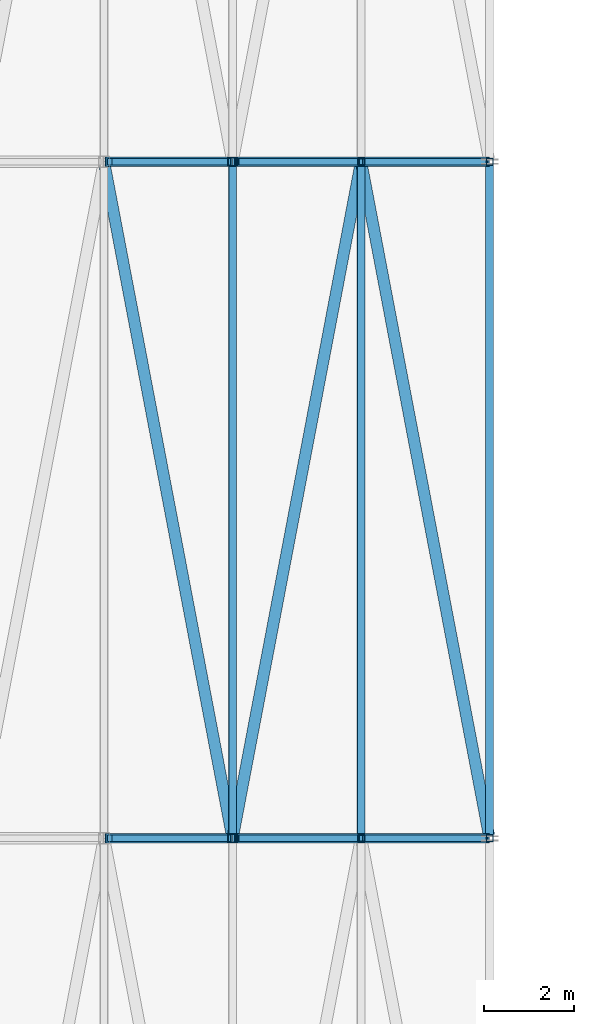
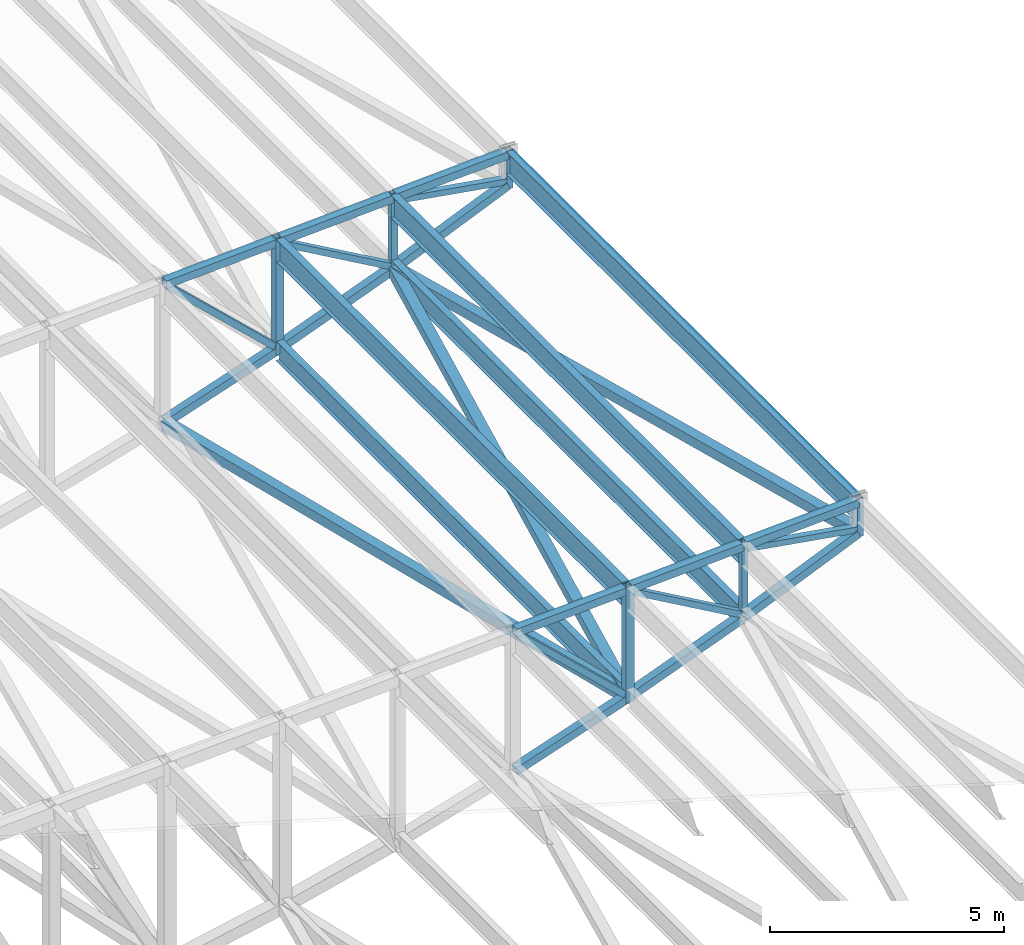
# One storey, part 34 of 278: 18 beams, 14 members.
"""IFC4 building model written with IfcOpenShell, lengths in metres."""

from ifc_helpers import new_model, si_unit, direction, frame, origin, origin_2d, place, context, subcontext, project, spatial, hollow_rectangle, i_section, extrude, material, material_profile, profile_set, type_object, element, save


model = new_model("IFC4")

# Units and contexts
model_context = context("Model", 3, precision=1e-05, world=origin(), true_north=direction((0.0, 1.0)))
body_context = subcontext(model_context, "Body", "Model", "MODEL_VIEW")
ifc_project = project(units=[si_unit("LENGTHUNIT", "METRE"), si_unit("AREAUNIT", "SQUARE_METRE"), si_unit("VOLUMEUNIT", "CUBIC_METRE"), si_unit("PLANEANGLEUNIT", "RADIAN"), si_unit("MASSUNIT", "GRAM", prefix="KILO")], contexts=[model_context])

# Site, building, storey
site_placement = place(None, origin())
site = spatial("IfcSite", under=ifc_project, at=site_placement, CompositionType="ELEMENT")
building_placement = place(site_placement, origin())
building = spatial("IfcBuilding", under=site, at=building_placement, Name="Ogive Plaza Stadium", CompositionType="ELEMENT")
storey_placement = place(building_placement, frame((0.0, 0.0, 29.0)))
storey = spatial("IfcBuildingStorey", under=building, at=storey_placement, Name="Roof", CompositionType="ELEMENT", Elevation=29.0)

# Members
ifc_material_1 = material(Name="Steel ASTM A500 Grade C", Category="steel")
ifc_material_profile_1 = material_profile(ifc_material_1, hollow_rectangle(XDim=0.25390625, YDim=0.25390625, WallThickness=0.0087890625, at=origin_2d()), Name="HSS10X10X3/8")
ifc_profile_set_1 = profile_set([ifc_material_profile_1], Name="Steel ASTM A500 Grade C")
member_type_1 = type_object("IfcMemberType", Name="Roof plan brace HSS10X10X3/8", PredefinedType="BRACE", material=ifc_profile_set_1)
member_1_placement = place(storey_placement, frame((-45.513427734375, -37.4296875, 6.520751953125), z_axis=(-0.1860644689, 0.979300227871, -0.079693645318), x_axis=(-0.982424925297, -0.186658153196, 0.0)))
element("IfcMember", 1, at=member_1_placement, inside=storey, type_object=member_type_1, Name="ROOF BRACE B22 1", PredefinedType="BRACE", context=body_context, shape_type="SweptSolid", body=[
    extrude(hollow_rectangle(XDim=0.25390625, YDim=0.25390625, WallThickness=0.0087890625, at=origin_2d()), origin(), (0.0, 0.0, 1.0), 15.173583984375),
])
member_2_placement = place(storey_placement, frame((-48.36328125, -22.5703125, 5.30078125), z_axis=(-0.18619699352, -0.979917118172, -0.071366106221), x_axis=(0.982422109195, -0.186672974385, 0.0)))
element("IfcMember", 2, at=member_2_placement, inside=storey, type_object=member_type_1, Name="ROOF BRACE B22 2", PredefinedType="BRACE", context=body_context, shape_type="SweptSolid", body=[
    extrude(hollow_rectangle(XDim=0.25390625, YDim=0.25390625, WallThickness=0.0087890625, at=origin_2d()), origin(), (0.0, 0.0, 1.0), 15.1376953125),
])
member_3_placement = place(storey_placement, frame((-51.21826171875, -37.404052734375, 4.20751953125), z_axis=(-0.186305134019, 0.980575459807, -0.061336487198), x_axis=(-0.982425223956, -0.186656581279, 0.0)))
element("IfcMember", 3, at=member_3_placement, inside=storey, type_object=member_type_1, Name="ROOF BRACE B22 3", PredefinedType="BRACE", context=body_context, shape_type="SweptSolid", body=[
    extrude(hollow_rectangle(XDim=0.25390625, YDim=0.25390625, WallThickness=0.0087890625, at=origin_2d()), origin(), (0.0, 0.0, 1.0), 15.1015625),
])
ifc_material_2 = material(Name="Steel ASTM A992 Grade 50", Category="steel")
ifc_material_profile_2 = material_profile(ifc_material_2, i_section(OverallWidth=0.1650390625, OverallDepth=0.524658203125, WebThickness=0.0087890625, FlangeThickness=0.011474609375, at=origin_2d()), Name="W21X44")
ifc_profile_set_2 = profile_set([ifc_material_profile_2], Name="Steel ASTM A992 Grade 50")
member_type_2 = type_object("IfcMemberType", Name="Roof plan strut W21X44", PredefinedType="STRUT", material=ifc_profile_set_2)
member_4_placement = place(storey_placement, frame((-48.35009765625, -37.453857421875, 5.305908203125), z_axis=(0.0, 1.0, 0.0), x_axis=(-1.0, 0.0, 0.0)))
element("IfcMember", 4, at=member_4_placement, inside=storey, type_object=member_type_2, Name="ROOF STRUT B22 1", PredefinedType="STRUT", context=body_context, shape_type="SweptSolid", body=[
    extrude(i_section(OverallWidth=0.1650390625, OverallDepth=0.524658203125, WebThickness=0.0087890625, FlangeThickness=0.011474609375, at=origin_2d()), origin(), (0.0, 0.0, 1.0), 14.90771484375),
])
member_5_placement = place(storey_placement, frame((-51.199951171875, -37.428466796875, 4.213623046875), z_axis=(0.0, 1.0, 0.0), x_axis=(-1.0, 0.0, 0.0)))
element("IfcMember", 5, at=member_5_placement, inside=storey, type_object=member_type_2, Name="ROOF STRUT B22 2", PredefinedType="STRUT", context=body_context, shape_type="SweptSolid", body=[
    extrude(i_section(OverallWidth=0.1650390625, OverallDepth=0.524658203125, WebThickness=0.0087890625, FlangeThickness=0.011474609375, at=origin_2d()), origin(), (0.0, 0.0, 1.0), 14.85693359375),
])
ifc_material_3 = material(Name="Steel ASTM A992 Grade 50", Category="steel")
ifc_material_profile_3 = material_profile(ifc_material_3, i_section(OverallWidth=0.177978515625, OverallDepth=0.5986328125, WebThickness=0.010009765625, FlangeThickness=0.012939453125, at=origin_2d()), Name="W24X55")
ifc_profile_set_3 = profile_set([ifc_material_profile_3], Name="Steel ASTM A992 Grade 50")
member_type_3 = type_object("IfcMemberType", Name="Roof purlin W24X55", PredefinedType="PURLIN", material=ifc_profile_set_3)
member_6_placement = place(storey_placement, frame((-48.35009765625, -37.453857421875, 6.983154296875), z_axis=(0.0, 1.0, 0.0), x_axis=(-1.0, 0.0, 0.0)))
element("IfcMember", 6, at=member_6_placement, inside=storey, type_object=member_type_3, Name="ROOF PURLIN B22 1", PredefinedType="PURLIN", context=body_context, shape_type="SweptSolid", body=[
    extrude(i_section(OverallWidth=0.177978515625, OverallDepth=0.5986328125, WebThickness=0.010009765625, FlangeThickness=0.012939453125, at=origin_2d()), origin(), (0.0, 0.0, 1.0), 14.90771484375),
])
member_7_placement = place(storey_placement, frame((-51.199951171875, -37.428466796875, 6.840576171875), z_axis=(0.0, 1.0, 0.0), x_axis=(-1.0, 0.0, 0.0)))
element("IfcMember", 7, at=member_7_placement, inside=storey, type_object=member_type_3, Name="ROOF PURLIN B22 2", PredefinedType="PURLIN", context=body_context, shape_type="SweptSolid", body=[
    extrude(i_section(OverallWidth=0.177978515625, OverallDepth=0.5986328125, WebThickness=0.010009765625, FlangeThickness=0.012939453125, at=origin_2d()), origin(), (0.0, 0.0, 1.0), 14.85693359375),
])
ifc_material_4 = material(Name="Steel ASTM A992 Grade 50", Category="steel")
ifc_material_profile_4 = material_profile(ifc_material_4, i_section(OverallWidth=0.177978515625, OverallDepth=0.5986328125, WebThickness=0.010009765625, FlangeThickness=0.012939453125, at=origin_2d()), Name="W24X55")
ifc_profile_set_4 = profile_set([ifc_material_profile_4], Name="Steel ASTM A992 Grade 50")
member_type_4 = type_object("IfcMemberType", Name="Roof tip ring beam W24X55", PredefinedType="MEMBER", material=ifc_profile_set_4)
member_8_placement = place(storey_placement, frame((-45.5, -37.453857421875, 7.125732421875), z_axis=(0.0, 1.0, 0.0), x_axis=(-1.0, 0.0, 0.0)))
element("IfcMember", 8, at=member_8_placement, inside=storey, type_object=member_type_4, Name="RING BEAM B22", PredefinedType="MEMBER", context=body_context, shape_type="SweptSolid", body=[
    extrude(i_section(OverallWidth=0.177978515625, OverallDepth=0.5986328125, WebThickness=0.010009765625, FlangeThickness=0.012939453125, at=origin_2d()), origin(), (0.0, 0.0, 1.0), 14.90771484375),
])

# Beams
ifc_material_5 = material(Name="Steel ASTM A500 Grade C", Category="steel")
ifc_material_profile_5 = material_profile(ifc_material_5, hollow_rectangle(XDim=0.203125, YDim=0.203125, WallThickness=0.01171875, at=origin_2d()), Name="HSS8X8X1/2")
ifc_profile_set_5 = profile_set([ifc_material_profile_5], Name="Steel ASTM A500 Grade C")
beam_type_1 = type_object("IfcBeamType", Name="Roof truss bottom chord HSS8X8X1/2", PredefinedType="BEAM", material=ifc_profile_set_5)
beam_1_placement = place(storey_placement, frame((-45.5400390625, -37.5, 6.518310546875), z_axis=(-0.919215459426, 0.0, -0.393754922702), x_axis=(0.0, -1.0, 0.0)))
element("IfcBeam", 9, at=beam_1_placement, inside=storey, type_object=beam_type_1, Name="ROOF TRUSS T22 BOTTOM CHORD 1", PredefinedType="BEAM", context=body_context, shape_type="SweptSolid", body=[
    extrude(hollow_rectangle(XDim=0.203125, YDim=0.203125, WallThickness=0.01171875, at=origin_2d()), origin(), (0.0, 0.0, 1.0), 3.04736328125),
])
beam_2_placement = place(storey_placement, frame((-48.386474609375, -37.5, 5.299072265625), z_axis=(-0.933780874892, 0.0, -0.357845326484), x_axis=(0.0, -1.0, 0.0)))
element("IfcBeam", 10, at=beam_2_placement, inside=storey, type_object=beam_type_1, Name="ROOF TRUSS T22 BOTTOM CHORD 2", PredefinedType="BEAM", context=body_context, shape_type="SweptSolid", body=[
    extrude(hollow_rectangle(XDim=0.203125, YDim=0.203125, WallThickness=0.01171875, at=origin_2d()), origin(), (0.0, 0.0, 1.0), 2.97314453125),
])
beam_3_placement = place(storey_placement, frame((-51.24072265625, -37.5, 4.20556640625), z_axis=(-0.947299736415, 0.0, -0.320348574817), x_axis=(0.0, -1.0, 0.0)))
element("IfcBeam", 11, at=beam_3_placement, inside=storey, type_object=beam_type_1, Name="ROOF TRUSS T22 BOTTOM CHORD 3", PredefinedType="BEAM", context=body_context, shape_type="SweptSolid", body=[
    extrude(hollow_rectangle(XDim=0.203125, YDim=0.203125, WallThickness=0.01171875, at=origin_2d()), origin(), (0.0, 0.0, 1.0), 2.912841796875),
])
beam_4_placement = place(storey_placement, frame((-45.5400390625, -22.5, 6.518310546875), z_axis=(-0.919215459426, 0.0, -0.393754922702), x_axis=(0.0, -1.0, 0.0)))
element("IfcBeam", 12, at=beam_4_placement, inside=storey, type_object=beam_type_1, Name="ROOF TRUSS T23 BOTTOM CHORD 1", PredefinedType="BEAM", context=body_context, shape_type="SweptSolid", body=[
    extrude(hollow_rectangle(XDim=0.203125, YDim=0.203125, WallThickness=0.01171875, at=origin_2d()), origin(), (0.0, 0.0, 1.0), 3.04736328125),
])
beam_5_placement = place(storey_placement, frame((-48.386474609375, -22.5, 5.299072265625), z_axis=(-0.933780874892, 0.0, -0.357845326484), x_axis=(0.0, -1.0, 0.0)))
element("IfcBeam", 13, at=beam_5_placement, inside=storey, type_object=beam_type_1, Name="ROOF TRUSS T23 BOTTOM CHORD 2", PredefinedType="BEAM", context=body_context, shape_type="SweptSolid", body=[
    extrude(hollow_rectangle(XDim=0.203125, YDim=0.203125, WallThickness=0.01171875, at=origin_2d()), origin(), (0.0, 0.0, 1.0), 2.97314453125),
])
beam_6_placement = place(storey_placement, frame((-51.24072265625, -22.5, 4.20556640625), z_axis=(-0.947299736415, 0.0, -0.320348574817), x_axis=(0.0, -1.0, 0.0)))
element("IfcBeam", 14, at=beam_6_placement, inside=storey, type_object=beam_type_1, Name="ROOF TRUSS T23 BOTTOM CHORD 3", PredefinedType="BEAM", context=body_context, shape_type="SweptSolid", body=[
    extrude(hollow_rectangle(XDim=0.203125, YDim=0.203125, WallThickness=0.01171875, at=origin_2d()), origin(), (0.0, 0.0, 1.0), 2.912841796875),
])

# Members
ifc_material_6 = material(Name="Steel ASTM A500 Grade C", Category="steel")
ifc_material_profile_6 = material_profile(ifc_material_6, hollow_rectangle(XDim=0.15234375, YDim=0.15234375, WallThickness=0.005859375, at=origin_2d()), Name="HSS6X6X1/4")
ifc_profile_set_6 = profile_set([ifc_material_profile_6], Name="Steel ASTM A500 Grade C")
member_type_5 = type_object("IfcMemberType", Name="Roof truss diagonal HSS6X6X1/4", PredefinedType="BRACE", material=ifc_profile_set_6)
member_9_placement = place(storey_placement, frame((-45.576171875, -37.5, 6.628173828125), z_axis=(-0.986299671123, 0.0, 0.164963507307), x_axis=(0.0, -1.0, 0.0)))
element("IfcMember", 15, at=member_9_placement, inside=storey, type_object=member_type_5, Name="ROOF TRUSS T22 DIAGONAL 1", PredefinedType="BRACE", context=body_context, shape_type="SweptSolid", body=[
    extrude(hollow_rectangle(XDim=0.15234375, YDim=0.15234375, WallThickness=0.005859375, at=origin_2d()), origin(), (0.0, 0.0, 1.0), 2.73486328125),
])
member_10_placement = place(storey_placement, frame((-48.42626953125, -37.5, 5.407470703125), z_axis=(-0.8679111184, 0.0, 0.496719529069), x_axis=(0.0, -1.0, 0.0)))
element("IfcMember", 16, at=member_10_placement, inside=storey, type_object=member_type_5, Name="ROOF TRUSS T22 DIAGONAL 2", PredefinedType="BRACE", context=body_context, shape_type="SweptSolid", body=[
    extrude(hollow_rectangle(XDim=0.15234375, YDim=0.15234375, WallThickness=0.005859375, at=origin_2d()), origin(), (0.0, 0.0, 1.0), 3.078857421875),
])
member_11_placement = place(storey_placement, frame((-45.576171875, -22.5, 6.628173828125), z_axis=(-0.986299671123, 0.0, 0.164963507307), x_axis=(0.0, -1.0, 0.0)))
element("IfcMember", 17, at=member_11_placement, inside=storey, type_object=member_type_5, Name="ROOF TRUSS T23 DIAGONAL 1", PredefinedType="BRACE", context=body_context, shape_type="SweptSolid", body=[
    extrude(hollow_rectangle(XDim=0.15234375, YDim=0.15234375, WallThickness=0.005859375, at=origin_2d()), origin(), (0.0, 0.0, 1.0), 2.73486328125),
])
member_12_placement = place(storey_placement, frame((-48.42626953125, -22.5, 5.407470703125), z_axis=(-0.8679111184, 0.0, 0.496719529069), x_axis=(0.0, -1.0, 0.0)))
element("IfcMember", 18, at=member_12_placement, inside=storey, type_object=member_type_5, Name="ROOF TRUSS T23 DIAGONAL 2", PredefinedType="BRACE", context=body_context, shape_type="SweptSolid", body=[
    extrude(hollow_rectangle(XDim=0.15234375, YDim=0.15234375, WallThickness=0.005859375, at=origin_2d()), origin(), (0.0, 0.0, 1.0), 3.078857421875),
])
ifc_material_7 = material(Name="Steel ASTM A500 Grade C", Category="steel")
ifc_material_profile_7 = material_profile(ifc_material_7, hollow_rectangle(XDim=0.15234375, YDim=0.15234375, WallThickness=0.0087890625, at=origin_2d()), Name="HSS6X6X3/8")
ifc_profile_set_7 = profile_set([ifc_material_profile_7], Name="Steel ASTM A500 Grade C")
member_type_6 = type_object("IfcMemberType", Name="Roof truss diagonal HSS6X6X3/8", PredefinedType="BRACE", material=ifc_profile_set_7)
for number, where, z_axis, x_axis, name in (
    (19, (-51.301513671875, -37.5, 4.315185546875), (-0.726588919749, 0.0, 0.687072442832), (0.0, -1.0, 0.0), "ROOF TRUSS T22 DIAGONAL 3"),
    (20, (-51.301513671875, -22.5, 4.315185546875), (-0.726588919749, 0.0, 0.687072442832), (0.0, -1.0, 0.0), "ROOF TRUSS T23 DIAGONAL 3"),
):
    element("IfcMember", number, at=place(storey_placement, frame(where, z_axis=z_axis, x_axis=x_axis)), inside=storey, type_object=member_type_6, Name=name, PredefinedType="BRACE", context=body_context, shape_type="SweptSolid", body=[
        extrude(hollow_rectangle(XDim=0.15234375, YDim=0.15234375, WallThickness=0.0087890625, at=origin_2d()), origin(), (0.0, 0.0, 1.0), 3.608154296875),
    ])

# Beams
ifc_material_8 = material(Name="Steel ASTM A500 Grade C", Category="steel")
ifc_material_profile_8 = material_profile(ifc_material_8, hollow_rectangle(XDim=0.15234375, YDim=0.15234375, WallThickness=0.0087890625, at=origin_2d()), Name="HSS6X6X3/8")
ifc_profile_set_8 = profile_set([ifc_material_profile_8], Name="Steel ASTM A500 Grade C")
beam_type_2 = type_object("IfcBeamType", Name="Roof truss post HSS6X6X3/8", PredefinedType="BEAM", material=ifc_profile_set_8)
beam_7_placement = place(storey_placement, frame((-45.5, -37.5, 6.425048828125), z_axis=(0.0, 0.0, 1.0), x_axis=(0.0, -1.0, 0.0)))
element("IfcBeam", 21, at=beam_7_placement, inside=storey, type_object=beam_type_2, Name="ROOF TRUSS T22 POST 1", PredefinedType="BEAM", context=body_context, shape_type="SweptSolid", body=[
    extrude(hollow_rectangle(XDim=0.15234375, YDim=0.15234375, WallThickness=0.0087890625, at=origin_2d()), origin(), (0.0, 0.0, 1.0), 1.0),
])
beam_8_placement = place(storey_placement, frame((-48.35009765625, -37.5, 5.204345703125), z_axis=(0.0, 0.0, 1.0), x_axis=(0.0, -1.0, 0.0)))
element("IfcBeam", 22, at=beam_8_placement, inside=storey, type_object=beam_type_2, Name="ROOF TRUSS T22 POST 2", PredefinedType="BEAM", context=body_context, shape_type="SweptSolid", body=[
    extrude(hollow_rectangle(XDim=0.15234375, YDim=0.15234375, WallThickness=0.0087890625, at=origin_2d()), origin(), (0.0, 0.0, 1.0), 2.078125),
])
beam_9_placement = place(storey_placement, frame((-45.5, -22.5, 6.425048828125), z_axis=(0.0, 0.0, 1.0), x_axis=(0.0, -1.0, 0.0)))
element("IfcBeam", 23, at=beam_9_placement, inside=storey, type_object=beam_type_2, Name="ROOF TRUSS T23 POST 1", PredefinedType="BEAM", context=body_context, shape_type="SweptSolid", body=[
    extrude(hollow_rectangle(XDim=0.15234375, YDim=0.15234375, WallThickness=0.0087890625, at=origin_2d()), origin(), (0.0, 0.0, 1.0), 1.0),
])
beam_10_placement = place(storey_placement, frame((-48.35009765625, -22.5, 5.204345703125), z_axis=(0.0, 0.0, 1.0), x_axis=(0.0, -1.0, 0.0)))
element("IfcBeam", 24, at=beam_10_placement, inside=storey, type_object=beam_type_2, Name="ROOF TRUSS T23 POST 2", PredefinedType="BEAM", context=body_context, shape_type="SweptSolid", body=[
    extrude(hollow_rectangle(XDim=0.15234375, YDim=0.15234375, WallThickness=0.0087890625, at=origin_2d()), origin(), (0.0, 0.0, 1.0), 2.078125),
])
ifc_material_9 = material(Name="Steel ASTM A500 Grade C", Category="steel")
ifc_material_profile_9 = material_profile(ifc_material_9, hollow_rectangle(XDim=0.203125, YDim=0.203125, WallThickness=0.0087890625, at=origin_2d()), Name="HSS8X8X3/8")
ifc_profile_set_9 = profile_set([ifc_material_profile_9], Name="Steel ASTM A500 Grade C")
beam_type_3 = type_object("IfcBeamType", Name="Roof truss post HSS8X8X3/8", PredefinedType="BEAM", material=ifc_profile_set_9)
for number, where, z_axis, x_axis, name in (
    (25, (-51.199951171875, -37.5, 4.112060546875), (0.0, 0.0, 1.0), (0.0, -1.0, 0.0), "ROOF TRUSS T22 POST 3"),
    (26, (-51.199951171875, -22.5, 4.112060546875), (0.0, 0.0, 1.0), (0.0, -1.0, 0.0), "ROOF TRUSS T23 POST 3"),
):
    element("IfcBeam", number, at=place(storey_placement, frame(where, z_axis=z_axis, x_axis=x_axis)), inside=storey, type_object=beam_type_3, Name=name, PredefinedType="BEAM", context=body_context, shape_type="SweptSolid", body=[
        extrude(hollow_rectangle(XDim=0.203125, YDim=0.203125, WallThickness=0.0087890625, at=origin_2d()), origin(), (0.0, 0.0, 1.0), 3.02783203125),
    ])
ifc_material_10 = material(Name="Steel ASTM A500 Grade C", Category="steel")
ifc_material_profile_10 = material_profile(ifc_material_10, hollow_rectangle(XDim=0.203125, YDim=0.203125, WallThickness=0.0087890625, at=origin_2d()), Name="HSS8X8X3/8")
ifc_profile_set_10 = profile_set([ifc_material_profile_10], Name="Steel ASTM A500 Grade C")
beam_type_4 = type_object("IfcBeamType", Name="Roof truss top chord HSS8X8X3/8", PredefinedType="BEAM", material=ifc_profile_set_10)
beam_11_placement = place(storey_placement, frame((-45.541259765625, -37.5, 7.3212890625), z_axis=(-0.998751459876, 0.0, -0.049955193873), x_axis=(0.0, -1.0, 0.0)))
element("IfcBeam", 27, at=beam_11_placement, inside=storey, type_object=beam_type_4, Name="ROOF TRUSS T22 TOP CHORD 1", PredefinedType="BEAM", context=body_context, shape_type="SweptSolid", body=[
    extrude(hollow_rectangle(XDim=0.203125, YDim=0.203125, WallThickness=0.0087890625, at=origin_2d()), origin(), (0.0, 0.0, 1.0), 2.77099609375),
])
beam_12_placement = place(storey_placement, frame((-48.39111328125, -37.5, 7.1787109375), z_axis=(-0.998752338878, 0.0, -0.049937616944), x_axis=(0.0, -1.0, 0.0)))
element("IfcBeam", 28, at=beam_12_placement, inside=storey, type_object=beam_type_4, Name="ROOF TRUSS T22 TOP CHORD 2", PredefinedType="BEAM", context=body_context, shape_type="SweptSolid", body=[
    extrude(hollow_rectangle(XDim=0.203125, YDim=0.203125, WallThickness=0.0087890625, at=origin_2d()), origin(), (0.0, 0.0, 1.0), 2.76220703125),
])
beam_13_placement = place(storey_placement, frame((-51.25, -37.5, 7.035888671875), z_axis=(-0.998748798523, 0.0, -0.05000837379), x_axis=(0.0, -1.0, 0.0)))
element("IfcBeam", 29, at=beam_13_placement, inside=storey, type_object=beam_type_4, Name="ROOF TRUSS T22 TOP CHORD 3", PredefinedType="BEAM", context=body_context, shape_type="SweptSolid", body=[
    extrude(hollow_rectangle(XDim=0.203125, YDim=0.203125, WallThickness=0.0087890625, at=origin_2d()), origin(), (0.0, 0.0, 1.0), 2.75341796875),
])
beam_14_placement = place(storey_placement, frame((-45.541259765625, -22.5, 7.3212890625), z_axis=(-0.998751459876, 0.0, -0.049955193873), x_axis=(0.0, -1.0, 0.0)))
element("IfcBeam", 30, at=beam_14_placement, inside=storey, type_object=beam_type_4, Name="ROOF TRUSS T23 TOP CHORD 1", PredefinedType="BEAM", context=body_context, shape_type="SweptSolid", body=[
    extrude(hollow_rectangle(XDim=0.203125, YDim=0.203125, WallThickness=0.0087890625, at=origin_2d()), origin(), (0.0, 0.0, 1.0), 2.77099609375),
])
beam_15_placement = place(storey_placement, frame((-48.39111328125, -22.5, 7.1787109375), z_axis=(-0.998752338878, 0.0, -0.049937616944), x_axis=(0.0, -1.0, 0.0)))
element("IfcBeam", 31, at=beam_15_placement, inside=storey, type_object=beam_type_4, Name="ROOF TRUSS T23 TOP CHORD 2", PredefinedType="BEAM", context=body_context, shape_type="SweptSolid", body=[
    extrude(hollow_rectangle(XDim=0.203125, YDim=0.203125, WallThickness=0.0087890625, at=origin_2d()), origin(), (0.0, 0.0, 1.0), 2.76220703125),
])
beam_16_placement = place(storey_placement, frame((-51.25, -22.5, 7.035888671875), z_axis=(-0.998748798523, 0.0, -0.05000837379), x_axis=(0.0, -1.0, 0.0)))
element("IfcBeam", 32, at=beam_16_placement, inside=storey, type_object=beam_type_4, Name="ROOF TRUSS T23 TOP CHORD 3", PredefinedType="BEAM", context=body_context, shape_type="SweptSolid", body=[
    extrude(hollow_rectangle(XDim=0.203125, YDim=0.203125, WallThickness=0.0087890625, at=origin_2d()), origin(), (0.0, 0.0, 1.0), 2.75341796875),
])

save(model, "model.ifc")
